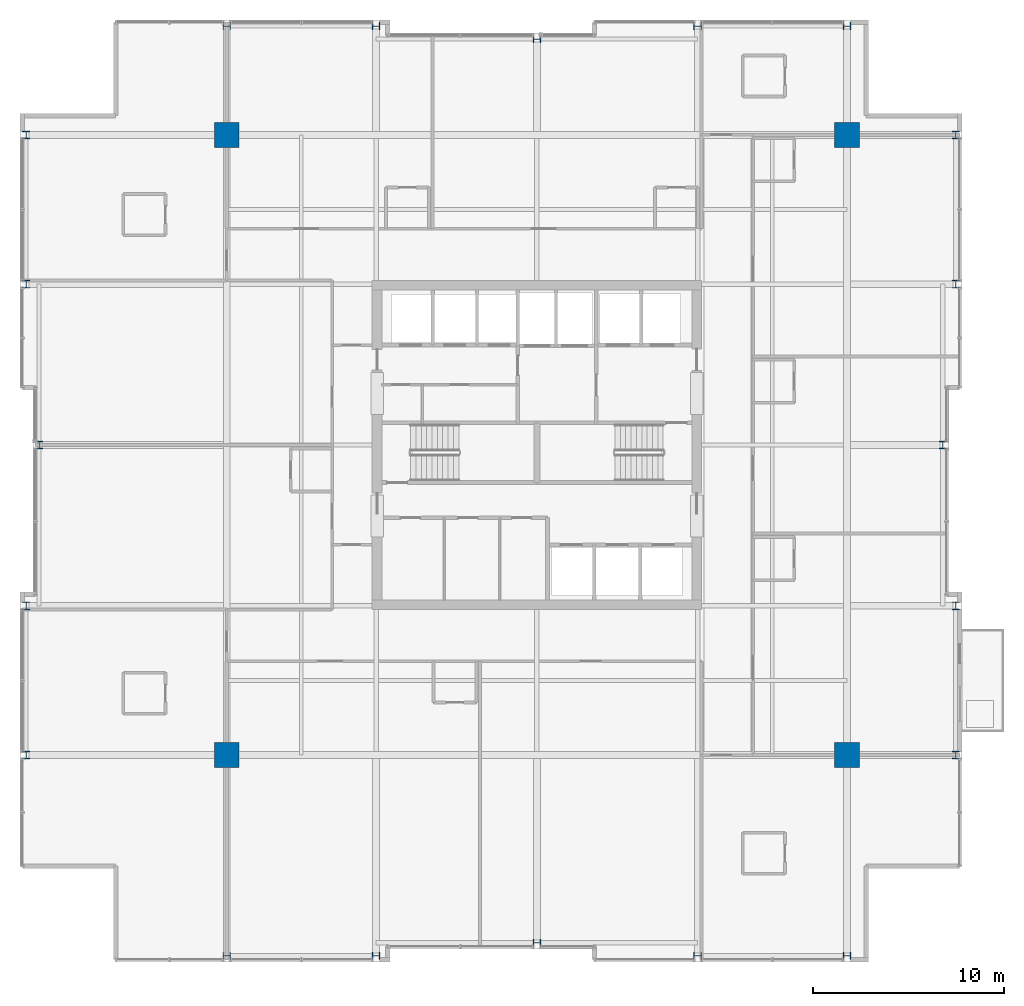
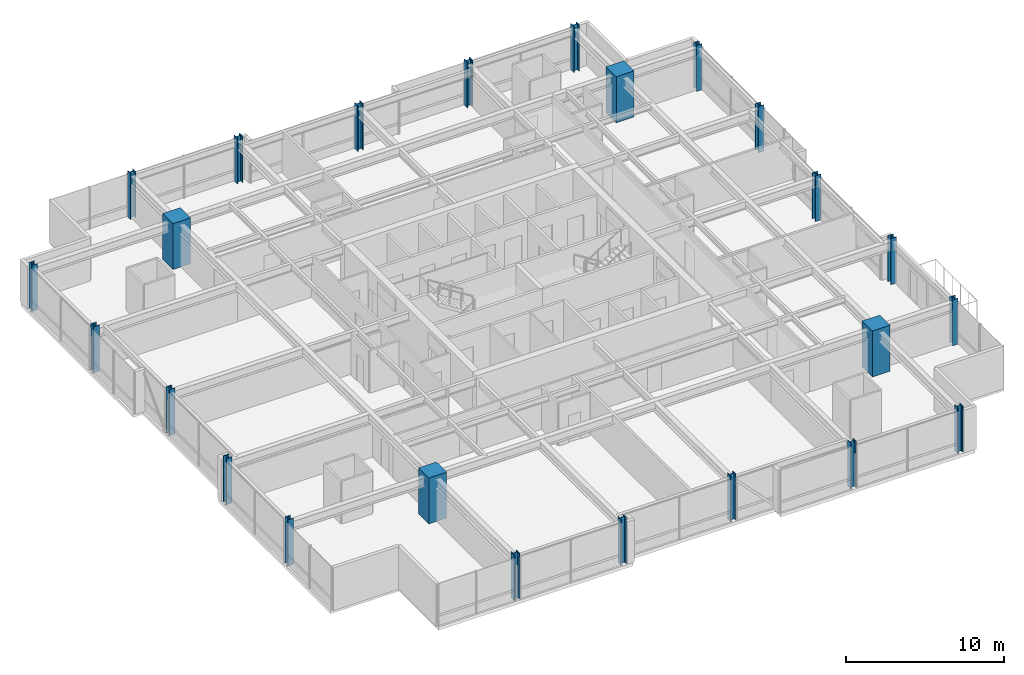
# One storey, part 1 of 33: 24 columns.
"""IFC4 building model written with IfcOpenShell, lengths in metres."""

from ifc_helpers import new_model, si_unit, direction, frame, origin, origin_2d, place, context, subcontext, project, spatial, rectangle, i_section, extrude, material, material_profile, profile_set, type_object, element, save


model = new_model("IFC4")

# Units and contexts
model_context = context("Model", 3, precision=1e-05, world=origin(), true_north=direction((0.0, 1.0)))
body_context = subcontext(model_context, "Body", "Model", "MODEL_VIEW")
ifc_project = project(units=[si_unit("LENGTHUNIT", "METRE"), si_unit("AREAUNIT", "SQUARE_METRE"), si_unit("VOLUMEUNIT", "CUBIC_METRE"), si_unit("PLANEANGLEUNIT", "RADIAN"), si_unit("MASSUNIT", "GRAM", prefix="KILO")], contexts=[model_context])

# Site, building, storey
site_placement = place(None, origin())
site = spatial("IfcSite", under=ifc_project, at=site_placement, CompositionType="ELEMENT")
building_placement = place(site_placement, origin())
building = spatial("IfcBuilding", under=site, at=building_placement, Name="Drelvath Grand Hotel", CompositionType="ELEMENT")
storey_placement = place(building_placement, frame((0.0, 0.0, 161.050048828125)))
storey = spatial("IfcBuildingStorey", under=building, at=storey_placement, Name="L41", CompositionType="ELEMENT", Elevation=161.050048828125)

# Columns
ifc_material_1 = material(Name="Concrete f'c 55 MPa", Category="concrete")
ifc_material_profile_1 = material_profile(ifc_material_1, rectangle(XDim=1.300048828125, YDim=1.300048828125, at=origin_2d()), Name="MC1300X1300")
ifc_profile_set_1 = profile_set([ifc_material_profile_1], Name="Concrete f'c 55 MPa")
column_type_1 = type_object("IfcColumnType", Name="Composite Mega Column MC1300X1300", PredefinedType="COLUMN", material=ifc_profile_set_1)
for number, where, z_axis, x_axis, name in (
    (1, (-16.199951171875, 10.800048828125, 0.0), (0.0, 0.0, 1.0), (1.0, 0.0, 0.0), "L41 Composite Mega Column MC-SW"),
    (2, (16.199951171875, 10.800048828125, 0.0), (0.0, 0.0, 1.0), (1.0, 0.0, 0.0), "L41 Composite Mega Column MC-SE"),
    (3, (-16.199951171875, 43.199951171875, 0.0), (0.0, 0.0, 1.0), (1.0, 0.0, 0.0), "L41 Composite Mega Column MC-NW"),
    (4, (16.199951171875, 43.199951171875, 0.0), (0.0, 0.0, 1.0), (1.0, 0.0, 0.0), "L41 Composite Mega Column MC-NE"),
):
    element("IfcColumn", number, at=place(storey_placement, frame(where, z_axis=z_axis, x_axis=x_axis)), inside=storey, type_object=column_type_1, Name=name, PredefinedType="COLUMN", context=body_context, shape_type="SweptSolid", body=[
        extrude(rectangle(XDim=1.300048828125, YDim=1.300048828125, at=origin_2d()), origin(), (0.0, 0.0, 1.0), 3.550048828125),
    ])
ifc_material_2 = material(Name="Steel ASTM A913 Gr 65", Category="steel")
ifc_material_profile_2 = material_profile(ifc_material_2, i_section(OverallWidth=0.40625, OverallDepth=0.416015625, WebThickness=0.02978515625, FlangeThickness=0.048095703125, FilletRadius=0.028076171875, at=origin_2d()), Name="W14X257")
ifc_profile_set_2 = profile_set([ifc_material_profile_2], Name="Steel ASTM A913 Gr 65")
column_type_2 = type_object("IfcColumnType", Name="Perimeter Steel Column W14X257", PredefinedType="COLUMN", material=ifc_profile_set_2)
for number, where, z_axis, x_axis, name in (
    (5, (-26.679931640625, 10.800048828125, 0.0), (0.0, 0.0, 1.0), (1.0, 0.0, 0.0), "L41 Structural Column TCW-C"),
    (6, (21.8798828125, 10.800048828125, 0.0), (0.0, 0.0, 1.0), (1.0, 0.0, 0.0), "L41 Structural Column TCE-C"),
    (7, (-26.679931640625, 18.60009765625, 0.0), (0.0, 0.0, 1.0), (1.0, 0.0, 0.0), "L41 Structural Column TCW-D"),
    (8, (21.8798828125, 18.60009765625, 0.0), (0.0, 0.0, 1.0), (1.0, 0.0, 0.0), "L41 Structural Column TCE-D"),
    (9, (-26.0, 27.0, 0.0), (0.0, 0.0, 1.0), (1.0, 0.0, 0.0), "L41 Structural Column TCW-E"),
    (10, (21.199951171875, 27.0, 0.0), (0.0, 0.0, 1.0), (1.0, 0.0, 0.0), "L41 Structural Column TCE-E"),
    (11, (-26.679931640625, 35.39990234375, 0.0), (0.0, 0.0, 1.0), (1.0, 0.0, 0.0), "L41 Structural Column TCW-F"),
    (12, (21.8798828125, 35.39990234375, 0.0), (0.0, 0.0, 1.0), (1.0, 0.0, 0.0), "L41 Structural Column TCE-F"),
    (13, (-26.679931640625, 43.199951171875, 0.0), (0.0, 0.0, 1.0), (1.0, 0.0, 0.0), "L41 Structural Column TCW-G"),
    (14, (21.8798828125, 43.199951171875, 0.0), (0.0, 0.0, 1.0), (1.0, 0.0, 0.0), "L41 Structural Column TCE-G"),
    (15, (-16.199951171875, 0.320068359375, 0.0), (0.0, 0.0, 1.0), (0.0, 1.0, 0.0), "L41 Structural Column TCS-3"),
    (16, (-16.199951171875, 48.8798828125, 0.0), (0.0, 0.0, 1.0), (0.0, 1.0, 0.0), "L41 Structural Column TCN-3"),
    (17, (-8.39990234375, 0.320068359375, 0.0), (0.0, 0.0, 1.0), (0.0, 1.0, 0.0), "L41 Structural Column TCS-4"),
    (18, (-8.39990234375, 48.8798828125, 0.0), (0.0, 0.0, 1.0), (0.0, 1.0, 0.0), "L41 Structural Column TCN-4"),
    (19, (0.0, 1.0, 0.0), (0.0, 0.0, 1.0), (0.0, 1.0, 0.0), "L41 Structural Column TCS-5"),
    (20, (0.0, 48.199951171875, 0.0), (0.0, 0.0, 1.0), (0.0, 1.0, 0.0), "L41 Structural Column TCN-5"),
    (21, (8.39990234375, 0.320068359375, 0.0), (0.0, 0.0, 1.0), (0.0, 1.0, 0.0), "L41 Structural Column TCS-6"),
    (22, (8.39990234375, 48.8798828125, 0.0), (0.0, 0.0, 1.0), (0.0, 1.0, 0.0), "L41 Structural Column TCN-6"),
    (23, (16.199951171875, 0.320068359375, 0.0), (0.0, 0.0, 1.0), (0.0, 1.0, 0.0), "L41 Structural Column TCS-7"),
    (24, (16.199951171875, 48.8798828125, 0.0), (0.0, 0.0, 1.0), (0.0, 1.0, 0.0), "L41 Structural Column TCN-7"),
):
    element("IfcColumn", number, at=place(storey_placement, frame(where, z_axis=z_axis, x_axis=x_axis)), inside=storey, type_object=column_type_2, Name=name, PredefinedType="COLUMN", context=body_context, shape_type="SweptSolid", body=[
        extrude(i_section(OverallWidth=0.40625, OverallDepth=0.416015625, WebThickness=0.02978515625, FlangeThickness=0.048095703125, FilletRadius=0.028076171875, at=origin_2d()), origin(), (0.0, 0.0, 1.0), 3.546875),
    ])

save(model, "model.ifc")
